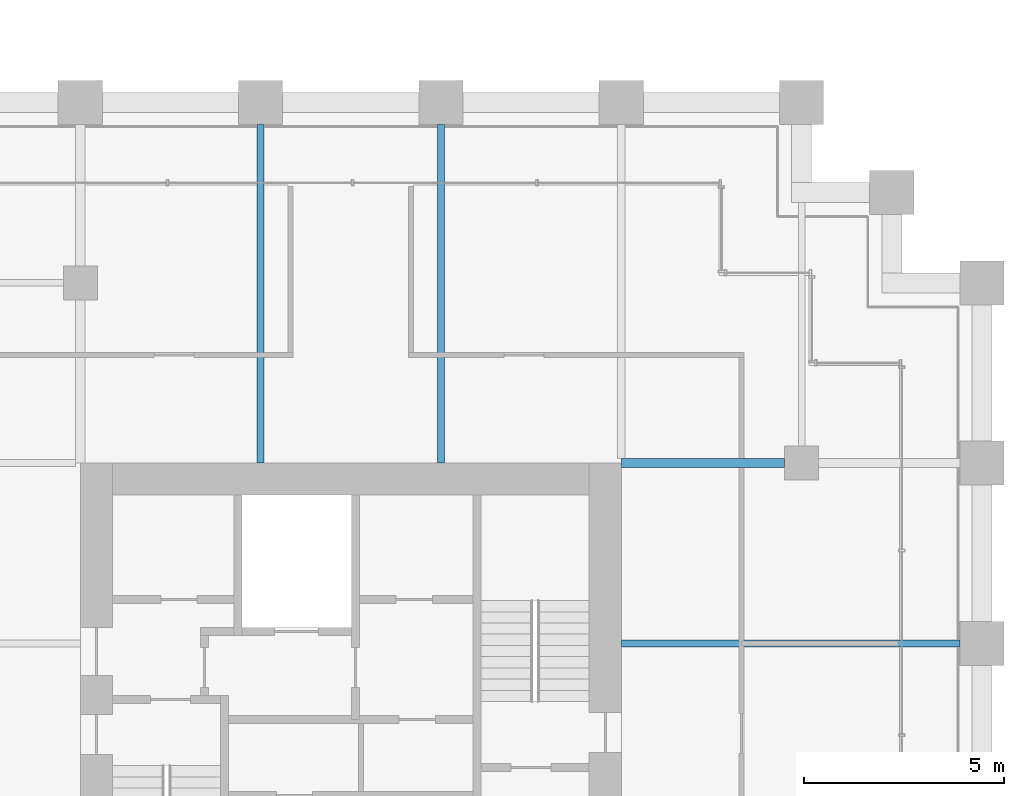
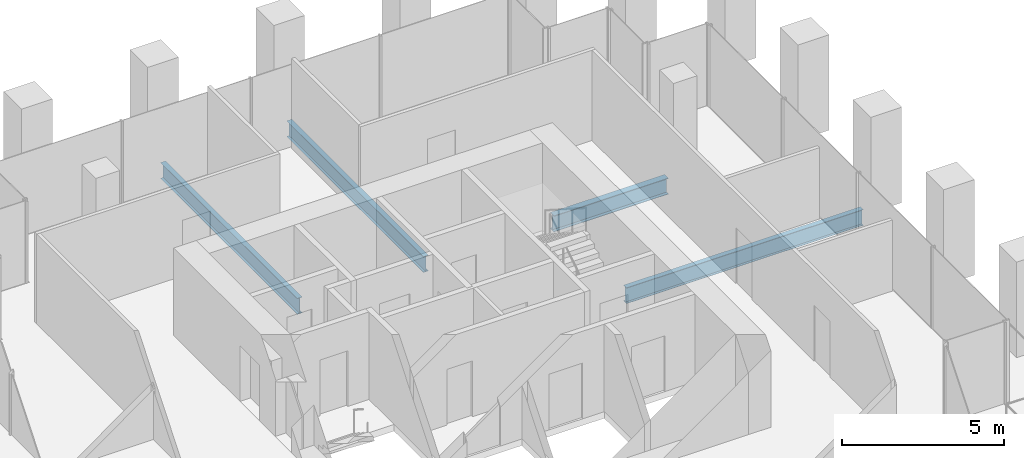
# One storey, part 43 of 56: 4 beams.
"""IFC4 building model written with IfcOpenShell, lengths in metres."""

from ifc_helpers import new_model, si_unit, direction, frame, origin, origin_2d, place, context, subcontext, project, spatial, i_section, extrude, material, material_profile, profile_set, type_object, element, save


model = new_model("IFC4")

# Units and contexts
model_context = context("Model", 3, precision=1e-05, world=origin(), true_north=direction((0.0, 1.0)))
body_context = subcontext(model_context, "Body", "Model", "MODEL_VIEW")
ifc_project = project(units=[si_unit("LENGTHUNIT", "METRE"), si_unit("AREAUNIT", "SQUARE_METRE"), si_unit("VOLUMEUNIT", "CUBIC_METRE"), si_unit("PLANEANGLEUNIT", "RADIAN"), si_unit("MASSUNIT", "GRAM", prefix="KILO")], contexts=[model_context])

# Site, building, storey
site_placement = place(None, origin())
site = spatial("IfcSite", under=ifc_project, at=site_placement, CompositionType="ELEMENT")
building_placement = place(site_placement, origin())
building = spatial("IfcBuilding", under=site, at=building_placement, Name="Altepetl Exchange Towers", CompositionType="ELEMENT")
storey_placement = place(building_placement, frame((0.0, 0.0, 83.39990234375)))
storey = spatial("IfcBuildingStorey", under=building, at=storey_placement, Name="L20", CompositionType="ELEMENT", Elevation=83.39990234375)

# Beams
ifc_material = material(Name="Steel S355", Category="steel")
ifc_material_profile_1 = material_profile(ifc_material, i_section(OverallWidth=0.177978515625, OverallDepth=0.59912109375, WebThickness=0.010009765625, FlangeThickness=0.0126953125, at=origin_2d()), Name="W24X55")
ifc_profile_set_1 = profile_set([ifc_material_profile_1], Name="Steel S355")
beam_type_1 = type_object("IfcBeamType", Name="Floor beam W24X55", PredefinedType="BEAM", material=ifc_profile_set_1)
for number, where, z_axis, x_axis, name in (
    (1, (108.0, 49.5, -0.449462890625), (0.0, 1.0, 0.0), (-1.0, 0.0, 0.0), "bm:B:L20:000"),
    (2, (112.5, 49.5, -0.449462890625), (0.0, 1.0, 0.0), (-1.0, 0.0, 0.0), "bm:B:L20:001"),
    (3, (117.0, 45.0, -0.449462890625), (1.0, 0.0, 0.0), (0.0, 1.0, 0.0), "bm:B:L20:007"),
):
    element("IfcBeam", number, at=place(storey_placement, frame(where, z_axis=z_axis, x_axis=x_axis)), inside=storey, type_object=beam_type_1, Name=name, PredefinedType="BEAM", context=body_context, shape_type="SweptSolid", body=[
        extrude(i_section(OverallWidth=0.177978515625, OverallDepth=0.59912109375, WebThickness=0.010009765625, FlangeThickness=0.0126953125, at=origin_2d()), origin(), (0.0, 0.0, 1.0), 8.449951171875),
    ])
ifc_material_profile_2 = material_profile(ifc_material, i_section(OverallWidth=0.22802734375, OverallDepth=0.60791015625, WebThickness=0.01123046875, FlangeThickness=0.017333984375, at=origin_2d()), Name="W24X76")
ifc_profile_set_2 = profile_set([ifc_material_profile_2], Name="Steel S355")
beam_type_2 = type_object("IfcBeamType", Name="Girder W24X76", PredefinedType="BEAM", material=ifc_profile_set_2)
beam_placement = place(storey_placement, frame((117.0, 49.5, -0.453857421875), z_axis=(1.0, 0.0, 0.0), x_axis=(0.0, 1.0, 0.0)))
element("IfcBeam", 4, at=beam_placement, inside=storey, type_object=beam_type_2, Name="gd:B:L20:000", PredefinedType="BEAM", context=body_context, shape_type="SweptSolid", body=[
    extrude(i_section(OverallWidth=0.22802734375, OverallDepth=0.60791015625, WebThickness=0.01123046875, FlangeThickness=0.017333984375, at=origin_2d()), origin(), (0.0, 0.0, 1.0), 4.074951171875),
])

save(model, "model.ifc")
